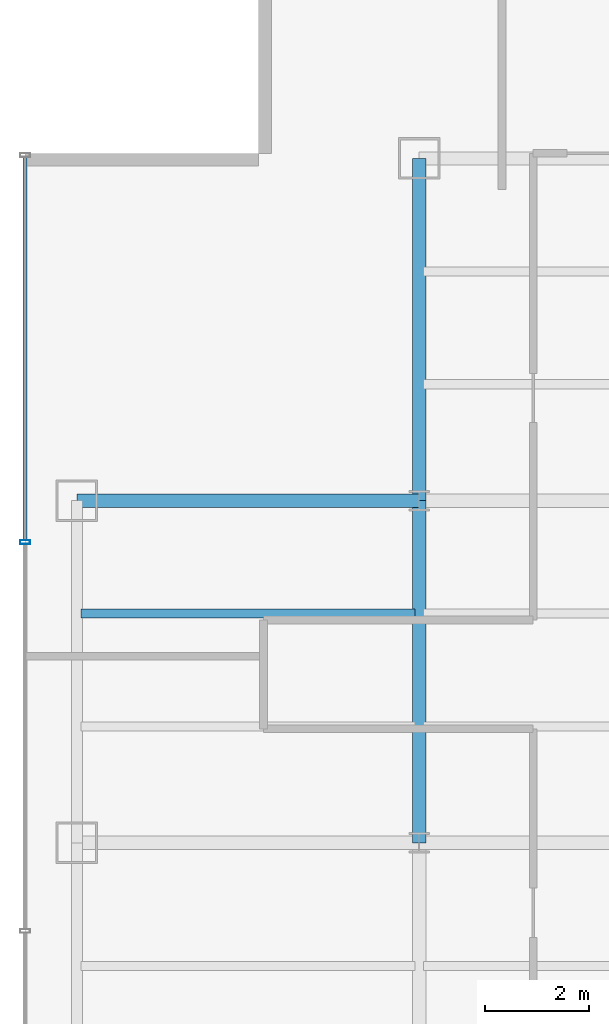
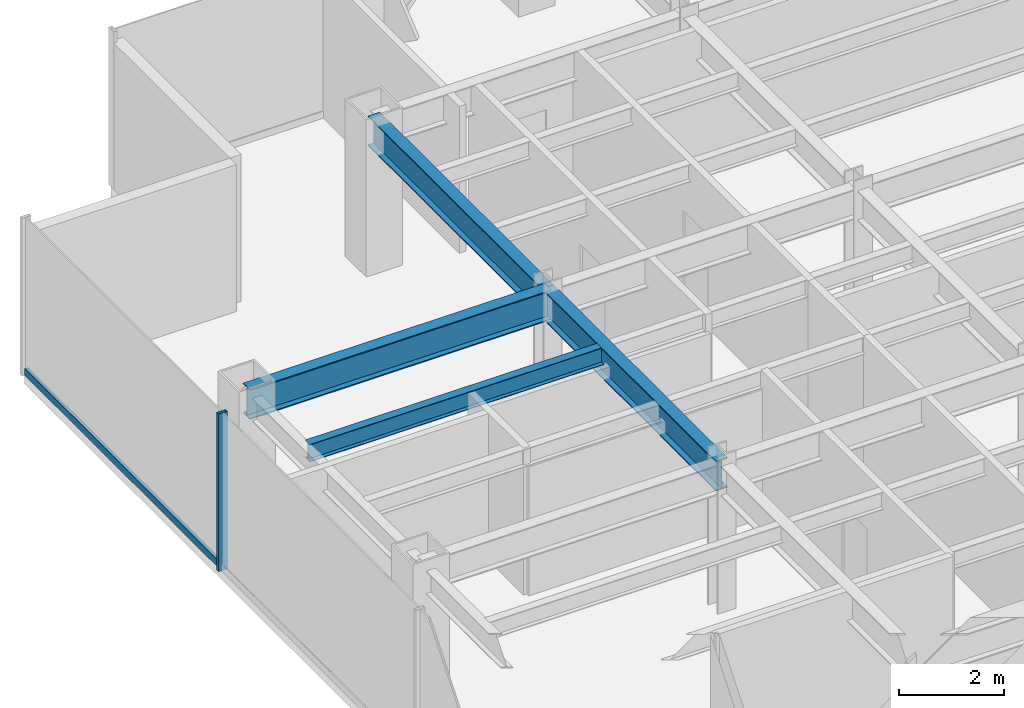
# One storey, part 6 of 26: 4 beams, 2 members, 1 element without a shape of its own.
"""IFC4 building model written with IfcOpenShell, lengths in metres."""

from ifc_helpers import new_model, si_unit, derived_unit, direction, frame, origin, origin_2d, place, context, subcontext, project, spatial, hollow_rectangle, i_section, extrude, source, transform, mapped, material, material_profile, profile_set, type_object, element, aggregate, save


model = new_model("IFC4")

# Units and contexts
model_context = context("Model", 3, precision=1e-05, world=origin(), true_north=direction((0.0, 1.0)))
body_context = subcontext(model_context, "Body", "Model", "MODEL_VIEW")
ifc_project = project(units=[si_unit("LENGTHUNIT", "METRE"), si_unit("AREAUNIT", "SQUARE_METRE"), si_unit("VOLUMEUNIT", "CUBIC_METRE"), si_unit("PLANEANGLEUNIT", "RADIAN"), si_unit("MASSUNIT", "GRAM", prefix="KILO"), derived_unit("THERMALTRANSMITTANCEUNIT", [(si_unit("POWERUNIT", "WATT"), 1), (si_unit("LENGTHUNIT", "METRE"), -2), (si_unit("THERMODYNAMICTEMPERATUREUNIT", "KELVIN"), -1)])], contexts=[model_context])

# Site, building, storey
site_placement = place(None, origin())
site = spatial("IfcSite", under=ifc_project, at=site_placement, CompositionType="ELEMENT")
building_placement = place(site_placement, origin())
building = spatial("IfcBuilding", under=site, at=building_placement, Name="Skarnbrae Concourse Arena and Tower", CompositionType="ELEMENT")
storey_placement = place(building_placement, frame((0.0, 0.0, 106.89990234375)))
storey = spatial("IfcBuildingStorey", under=building, at=storey_placement, Name="L26", CompositionType="ELEMENT", Elevation=106.89990234375)

# Beams
ifc_material_1 = material(Name="Steel CSA G40.21 350W", Category="steel")
ifc_material_profile_1 = material_profile(ifc_material_1, i_section(OverallWidth=0.256103515625, OverallDepth=0.693115234375, WebThickness=0.014404296875, FlangeThickness=0.023681640625, at=origin_2d()), Name="W690X170")
ifc_profile_set_1 = profile_set([ifc_material_profile_1], Name="Steel CSA G40.21 350W")
beam_type_1 = type_object("IfcBeamType", Name="BM-GIRD-W690X170", PredefinedType="BEAM", material=ifc_profile_set_1)
shared_shape_1 = source(origin(), body_context, "Body", "SweptSolid", [
    extrude(i_section(OverallWidth=0.256103515625, OverallDepth=0.693115234375, WebThickness=0.014404296875, FlangeThickness=0.023681640625, at=origin_2d()), origin(), (0.0, 0.0, 1.0), 6.60009765625),
])
for number, where, z_axis, x_axis, name in (
    (1, (1.0, 27.800048828125, 3.0537109375), (1.0, 0.0, 0.0), (0.0, 1.0, 0.0), "L26 Primary E-W girder Y27.8-1"),
    (2, (7.60009765625, 21.199951171875, 3.0537109375), (0.0, 1.0, 0.0), (-1.0, 0.0, 0.0), "L26 Primary N-S girder X7.6-2"),
):
    element("IfcBeam", number, at=place(storey_placement, frame(where, z_axis=z_axis, x_axis=x_axis)), inside=storey, type_object=beam_type_1, Name=name, PredefinedType="BEAM", context=body_context, shape_type="MappedRepresentation", body=[
        mapped(shared_shape_1, transform((0.0, 0.0, 0.0))),
    ])
shared_shape_2 = source(origin(), body_context, "Body", "SweptSolid", [
    extrude(i_section(OverallWidth=0.256103515625, OverallDepth=0.693115234375, WebThickness=0.014404296875, FlangeThickness=0.023681640625, at=origin_2d()), origin(), (0.0, 0.0, 1.0), 6.599853515625),
])
beam_1_placement = place(storey_placement, frame((7.60009765625, 27.800048828125, 3.0537109375), z_axis=(0.0, 1.0, 0.0), x_axis=(-1.0, 0.0, 0.0)))
element("IfcBeam", 3, at=beam_1_placement, inside=storey, type_object=beam_type_1, Name="L26 Primary N-S girder X7.6-3", PredefinedType="BEAM", context=body_context, shape_type="MappedRepresentation", body=[
    mapped(shared_shape_2, transform((0.0, 0.0, 0.0))),
])
ifc_material_profile_2 = material_profile(ifc_material_1, i_section(OverallWidth=0.177978515625, OverallDepth=0.406982421875, WebThickness=0.0078125, FlangeThickness=0.0126953125, at=origin_2d()), Name="W410X60")
ifc_profile_set_2 = profile_set([ifc_material_profile_2], Name="Steel CSA G40.21 350W")
beam_type_2 = type_object("IfcBeamType", Name="BM-JOIST-W410X60", PredefinedType="JOIST", material=ifc_profile_set_2)
shared_shape_3 = source(origin(), body_context, "Body", "SweptSolid", [
    extrude(i_section(OverallWidth=0.177978515625, OverallDepth=0.406982421875, WebThickness=0.0078125, FlangeThickness=0.0126953125, at=origin_2d()), origin(), (0.0, 0.0, 1.0), 6.43994140625),
])
beam_2_placement = place(storey_placement, frame((1.080078125, 25.6220703125, 3.196533203125), z_axis=(1.0, 0.0, 0.0), x_axis=(0.0, 1.0, 0.0)))
element("IfcBeam", 4, at=beam_2_placement, inside=storey, type_object=beam_type_2, Name="L26 Secondary floor joist 2.2.1", PredefinedType="JOIST", context=body_context, shape_type="MappedRepresentation", body=[
    mapped(shared_shape_3, transform((0.0, 0.0, 0.0))),
])

# Curtain wall, members
ifc_material_2 = material(Name="Bronze anodised aluminium 6063-T6", Category="aluminium")
curtain_wall_type = type_object("IfcCurtainWallType", Name="CW-SYS-04-MIDZONE", PredefinedType="USERDEFINED", material=ifc_material_2)
curtain_wall_placement = place(storey_placement, origin())
curtain_wall = element("IfcCurtainWall", 5, at=curtain_wall_placement, inside=storey, type_object=curtain_wall_type, Name="L26 Unitised curtain wall CW-L26-E19", ObjectType="UNITISED CURTAIN WALL", PredefinedType="USERDEFINED")
ifc_material_profile_3 = material_profile(ifc_material_2, hollow_rectangle(XDim=0.074951171875, YDim=0.195068359375, WallThickness=0.00439453125, at=origin_2d()), Name="ALU-MULL-75X195")
ifc_profile_set_3 = profile_set([ifc_material_profile_3], Name="Bronze anodised aluminium 6063-T6")
member_type_1 = type_object("IfcMemberType", Name="CWM-CW-04", PredefinedType="MULLION", material=ifc_profile_set_3)
shared_shape_4 = source(origin(), body_context, "Body", "SweptSolid", [
    extrude(hollow_rectangle(XDim=0.074951171875, YDim=0.195068359375, WallThickness=0.00439453125, at=origin_2d()), origin(), (0.0, 0.0, 1.0), 3.650146484375),
])
member_1_placement = place(storey_placement, frame((0.0, 27.0, 0.0), z_axis=(0.0, 0.0, 1.0), x_axis=(0.0, -1.0, 0.0)))
member_1 = element("IfcMember", 6, at=member_1_placement, type_object=member_type_1, Name="CW-L26-E19 Mullion 2", PredefinedType="MULLION", context=body_context, shape_type="MappedRepresentation", body=[
    mapped(shared_shape_4, transform((0.0, 0.0, 0.0))),
])
ifc_material_profile_4 = material_profile(ifc_material_2, hollow_rectangle(XDim=0.074951171875, YDim=0.159912109375, WallThickness=0.00439453125, at=origin_2d()), Name="ALU-TRAN-75X160")
ifc_profile_set_4 = profile_set([ifc_material_profile_4], Name="Bronze anodised aluminium 6063-T6")
member_type_2 = type_object("IfcMemberType", Name="CWT-CW-04", PredefinedType="USERDEFINED", material=ifc_profile_set_4)
shared_shape_5 = source(origin(), body_context, "Body", "SweptSolid", [
    extrude(hollow_rectangle(XDim=0.074951171875, YDim=0.159912109375, WallThickness=0.00439453125, at=origin_2d()), origin(), (0.0, 0.0, 1.0), 7.387451171875),
])
member_2_placement = place(storey_placement, frame((0.0, 34.425048828125, 0.080078125), z_axis=(0.0, -1.0, 0.0), x_axis=(1.0, 0.0, 0.0)))
member_2 = element("IfcMember", 7, at=member_2_placement, type_object=member_type_2, Name="CW-L26-E19 Transom 1", ObjectType="TRANSOM", PredefinedType="USERDEFINED", context=body_context, shape_type="MappedRepresentation", body=[
    mapped(shared_shape_5, transform((0.0, 0.0, 0.0))),
])
aggregate(curtain_wall, [member_1, member_2])

save(model, "model.ifc")
